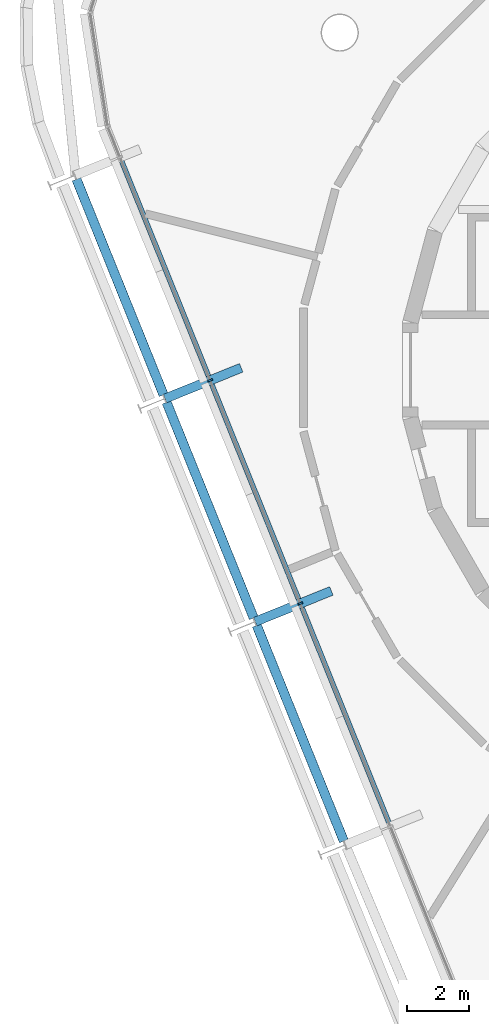
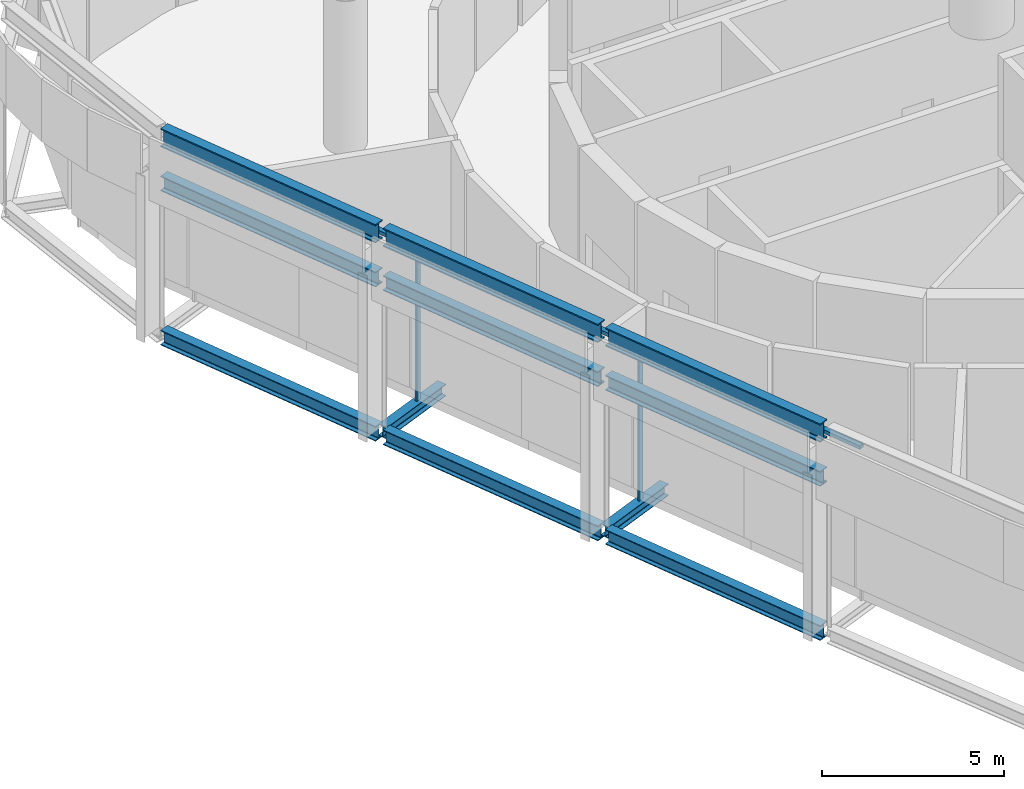
# One storey, part 3 of 15: 11 beams, 3 members, 1 element without a shape of its own.
"""IFC4 building model written with IfcOpenShell, lengths in metres."""

from ifc_helpers import new_model, si_unit, direction, frame, origin, origin_2d, place, context, subcontext, project, spatial, rectangle, i_section, extrude, material, layer, layer_set, material_profile, profile_set, type_object, element, aggregate, save


model = new_model("IFC4")

# Units and contexts
model_context = context("Model", 3, precision=1e-05, world=origin(), true_north=direction((0.0, 1.0)))
body_context = subcontext(model_context, "Body", "Model", "MODEL_VIEW")
ifc_project = project(units=[si_unit("LENGTHUNIT", "METRE"), si_unit("AREAUNIT", "SQUARE_METRE"), si_unit("VOLUMEUNIT", "CUBIC_METRE"), si_unit("PLANEANGLEUNIT", "RADIAN"), si_unit("MASSUNIT", "GRAM", prefix="KILO")], contexts=[model_context])

# Site, building, storey
site_placement = place(None, origin())
site = spatial("IfcSite", under=ifc_project, at=site_placement, CompositionType="ELEMENT")
building_placement = place(site_placement, origin())
building = spatial("IfcBuilding", under=site, at=building_placement, Name="Spindle Arch Residences", CompositionType="ELEMENT")
storey_placement = place(building_placement, frame((0.0, 0.0, 366.199951171875)))
storey = spatial("IfcBuildingStorey", under=building, at=storey_placement, Name="L94", CompositionType="ELEMENT", Elevation=366.199951171875)

# Curtain wall, members
ifc_material_1 = material(Name="Aluminium bronze unitised frame with tinted glass", Category="aluminium")
ifc_layer = layer(ifc_material_1, 0.159912109375)
ifc_layer_set = layer_set([ifc_layer], Name="CW-F crown plant glazed wall")
curtain_wall_type = type_object("IfcCurtainWallType", Name="CW-F crown plant glazed wall", PredefinedType="NOTDEFINED", material=ifc_layer_set)
curtain_wall_placement = place(storey_placement, origin())
curtain_wall = element("IfcCurtainWall", 1, at=curtain_wall_placement, inside=storey, type_object=curtain_wall_type, Name="CW-F L94 run 4", PredefinedType="NOTDEFINED")
ifc_material_2 = material(Name="Aluminium bronze anodised mullion", Category="aluminium")
ifc_material_profile_1 = material_profile(ifc_material_2, rectangle(XDim=0.159912109375, YDim=0.06005859375, at=origin_2d()), Name="MU 60x160")
ifc_profile_set_1 = profile_set([ifc_material_profile_1], Name="Aluminium bronze anodised mullion")
member_type_1 = type_object("IfcMemberType", Name="Bronze mullion 60x160", PredefinedType="MULLION", material=ifc_profile_set_1)
member_1_placement = place(storey_placement, frame((-18.110595703125, -0.337646484375, -0.3798828125), z_axis=(0.0, 0.0, 1.0), x_axis=(0.927183854567, 0.374606593416, 0.0)))
member_1 = element("IfcMember", 2, at=member_1_placement, type_object=member_type_1, Name="CW-F mullion 12", PredefinedType="MULLION", context=body_context, shape_type="SweptSolid", body=[
    extrude(rectangle(XDim=0.159912109375, YDim=0.06005859375, at=origin_2d()), origin(), (0.0, 0.0, 1.0), 5.059814453125),
])
member_2_placement = place(storey_placement, frame((-15.20166015625, -7.537841796875, -0.3798828125), z_axis=(0.0, 0.0, 1.0), x_axis=(0.927183854567, 0.374606593416, 0.0)))
member_2 = element("IfcMember", 3, at=member_2_placement, type_object=member_type_1, Name="CW-F mullion 13", PredefinedType="MULLION", context=body_context, shape_type="SweptSolid", body=[
    extrude(rectangle(XDim=0.159912109375, YDim=0.06005859375, at=origin_2d()), origin(), (0.0, 0.0, 1.0), 5.059814453125),
])
ifc_material_3 = material(Name="Aluminium bronze anodised transom", Category="aluminium")
ifc_material_profile_2 = material_profile(ifc_material_3, rectangle(XDim=0.159912109375, YDim=0.1201171875, at=origin_2d()), Name="TR 120x160")
ifc_profile_set_2 = profile_set([ifc_material_profile_2], Name="Aluminium bronze anodised transom")
member_type_2 = type_object("IfcMemberType", Name="Bronze transom 120x160", PredefinedType="USERDEFINED", material=ifc_profile_set_2)
member_3_placement = place(storey_placement, frame((-21.008544921875, 6.834716796875, 4.739990234375), z_axis=(0.374602019708, -0.927185702452, 0.0), x_axis=(0.927185702452, 0.374602019708, 0.0)))
member_3 = element("IfcMember", 4, at=member_3_placement, type_object=member_type_2, Name="CW-F transom 00", ObjectType="TRANSOM", PredefinedType="USERDEFINED", context=body_context, shape_type="SweptSolid", body=[
    extrude(rectangle(XDim=0.159912109375, YDim=0.1201171875, at=origin_2d()), origin(), (0.0, 0.0, 1.0), 23.23681640625),
])
aggregate(curtain_wall, [member_3, member_1, member_2])

# Beams
ifc_material_4 = material(Name="Steel S460ML, intumescent coating R 120", Category="steel")
ifc_material_profile_3 = material_profile(ifc_material_4, i_section(OverallWidth=0.304931640625, OverallDepth=0.6201171875, WebThickness=0.02099609375, FlangeThickness=0.0400390625, FilletRadius=0.027099609375, at=origin_2d()), Name="HEM 600")
ifc_profile_set_3 = profile_set([ifc_material_profile_3], Name="Steel S460ML, intumescent coating R 120")
beam_type_1 = type_object("IfcBeamType", Name="Crown ring beam HEM 600", PredefinedType="BEAM", material=ifc_profile_set_3)
beam_1_placement = place(storey_placement, frame((-22.4267578125, 6.15380859375, 6.090087890625), z_axis=(0.374613092792, -0.927181228622, 0.0), x_axis=(0.927181228622, 0.374613092792, 0.0)))
element("IfcBeam", 5, at=beam_1_placement, inside=storey, type_object=beam_type_1, Name="Crown ring beam L94 12", PredefinedType="BEAM", context=body_context, shape_type="SweptSolid", body=[
    extrude(i_section(OverallWidth=0.304931640625, OverallDepth=0.6201171875, WebThickness=0.02099609375, FlangeThickness=0.0400390625, FilletRadius=0.027099609375, at=origin_2d()), origin(), (0.0, 0.0, 1.0), 7.505859375),
])
for number, where, z_axis, x_axis, name in (
    (6, (-19.517578125, -1.04638671875, 6.090087890625), (0.374596427458, -0.927187961816, 0.0), (0.927187961816, 0.374596427458, 0.0), "Crown ring beam L94 13"),
    (7, (-16.608642578125, -8.24658203125, 6.090087890625), (0.374596427458, -0.927187961816, 0.0), (0.927187961816, 0.374596427458, 0.0), "Crown ring beam L94 14"),
):
    element("IfcBeam", number, at=place(storey_placement, frame(where, z_axis=z_axis, x_axis=x_axis)), inside=storey, type_object=beam_type_1, Name=name, PredefinedType="BEAM", context=body_context, shape_type="SweptSolid", body=[
        extrude(i_section(OverallWidth=0.304931640625, OverallDepth=0.6201171875, WebThickness=0.02099609375, FlangeThickness=0.0400390625, FilletRadius=0.027099609375, at=origin_2d()), origin(), (0.0, 0.0, 1.0), 7.50537109375),
    ])
ifc_material_5 = material(Name="Steel S460ML, intumescent coating R 120", Category="steel")
ifc_material_profile_4 = material_profile(ifc_material_5, i_section(OverallWidth=0.300048828125, OverallDepth=0.5, WebThickness=0.014404296875, FlangeThickness=0.028076171875, FilletRadius=0.027099609375, at=origin_2d()), Name="HEB 500")
ifc_profile_set_4 = profile_set([ifc_material_profile_4], Name="Steel S460ML, intumescent coating R 120")
beam_type_2 = type_object("IfcBeamType", Name="Exoskeleton edge beam HEB 500", PredefinedType="BEAM", material=ifc_profile_set_4)
beam_2_placement = place(storey_placement, frame((-22.4267578125, 6.15380859375, -0.6298828125), z_axis=(0.374613092792, -0.927181228622, 0.0), x_axis=(0.927181228622, 0.374613092792, 0.0)))
element("IfcBeam", 8, at=beam_2_placement, inside=storey, type_object=beam_type_2, Name="Exoskeleton edge beam 12", PredefinedType="BEAM", context=body_context, shape_type="SweptSolid", body=[
    extrude(i_section(OverallWidth=0.300048828125, OverallDepth=0.5, WebThickness=0.014404296875, FlangeThickness=0.028076171875, FilletRadius=0.027099609375, at=origin_2d()), origin(), (0.0, 0.0, 1.0), 7.505859375),
])
for number, where, z_axis, x_axis, name in (
    (9, (-19.517578125, -1.04638671875, -0.6298828125), (0.374596427458, -0.927187961816, 0.0), (0.927187961816, 0.374596427458, 0.0), "Exoskeleton edge beam 13"),
    (10, (-16.608642578125, -8.24658203125, -0.6298828125), (0.374596427458, -0.927187961816, 0.0), (0.927187961816, 0.374596427458, 0.0), "Exoskeleton edge beam 14"),
):
    element("IfcBeam", number, at=place(storey_placement, frame(where, z_axis=z_axis, x_axis=x_axis)), inside=storey, type_object=beam_type_2, Name=name, PredefinedType="BEAM", context=body_context, shape_type="SweptSolid", body=[
        extrude(i_section(OverallWidth=0.300048828125, OverallDepth=0.5, WebThickness=0.014404296875, FlangeThickness=0.028076171875, FilletRadius=0.027099609375, at=origin_2d()), origin(), (0.0, 0.0, 1.0), 7.50537109375),
    ])
beam_3_placement = place(storey_placement, frame((-22.4267578125, 6.15380859375, 4.550048828125), z_axis=(0.374613092792, -0.927181228622, 0.0), x_axis=(0.927181228622, 0.374613092792, 0.0)))
element("IfcBeam", 11, at=beam_3_placement, inside=storey, type_object=beam_type_2, Name="Exoskeleton edge beam L94 12", PredefinedType="BEAM", context=body_context, shape_type="SweptSolid", body=[
    extrude(i_section(OverallWidth=0.300048828125, OverallDepth=0.5, WebThickness=0.014404296875, FlangeThickness=0.028076171875, FilletRadius=0.027099609375, at=origin_2d()), origin(), (0.0, 0.0, 1.0), 7.505859375),
])
for number, where, z_axis, x_axis, name in (
    (12, (-19.517578125, -1.04638671875, 4.550048828125), (0.374596427458, -0.927187961816, 0.0), (0.927187961816, 0.374596427458, 0.0), "Exoskeleton edge beam L94 13"),
    (13, (-16.608642578125, -8.24658203125, 4.550048828125), (0.374596427458, -0.927187961816, 0.0), (0.927187961816, 0.374596427458, 0.0), "Exoskeleton edge beam L94 14"),
):
    element("IfcBeam", number, at=place(storey_placement, frame(where, z_axis=z_axis, x_axis=x_axis)), inside=storey, type_object=beam_type_2, Name=name, PredefinedType="BEAM", context=body_context, shape_type="SweptSolid", body=[
        extrude(i_section(OverallWidth=0.300048828125, OverallDepth=0.5, WebThickness=0.014404296875, FlangeThickness=0.028076171875, FilletRadius=0.027099609375, at=origin_2d()), origin(), (0.0, 0.0, 1.0), 7.50537109375),
    ])
ifc_material_6 = material(Name="Steel S460ML, intumescent coating R 120", Category="steel")
ifc_material_profile_5 = material_profile(ifc_material_6, i_section(OverallWidth=0.300048828125, OverallDepth=0.389892578125, WebThickness=0.010986328125, FlangeThickness=0.01904296875, FilletRadius=0.027099609375, at=origin_2d()), Name="HEA 400")
ifc_profile_set_5 = profile_set([ifc_material_profile_5], Name="Steel S460ML, intumescent coating R 120")
beam_type_3 = type_object("IfcBeamType", Name="Floor outrigger HEA 400", PredefinedType="BEAM", material=ifc_profile_set_5)
beam_4_placement = place(storey_placement, frame((-19.56640625, -0.92578125, -0.574951171875), z_axis=(0.927187692393, 0.374597094323, 0.0), x_axis=(-0.374597094323, 0.927187692393, 0.0)))
element("IfcBeam", 14, at=beam_4_placement, inside=storey, type_object=beam_type_3, Name="Floor outrigger 13", PredefinedType="BEAM", context=body_context, shape_type="SweptSolid", body=[
    extrude(i_section(OverallWidth=0.300048828125, OverallDepth=0.389892578125, WebThickness=0.010986328125, FlangeThickness=0.01904296875, FilletRadius=0.027099609375, at=origin_2d()), origin(), (0.0, 0.0, 1.0), 2.64990234375),
])
beam_5_placement = place(storey_placement, frame((-16.657470703125, -8.1259765625, -0.574951171875), z_axis=(0.927200618573, 0.374565098372, 0.0), x_axis=(-0.374565098372, 0.927200618573, 0.0)))
element("IfcBeam", 15, at=beam_5_placement, inside=storey, type_object=beam_type_3, Name="Floor outrigger 14", PredefinedType="BEAM", context=body_context, shape_type="SweptSolid", body=[
    extrude(i_section(OverallWidth=0.300048828125, OverallDepth=0.389892578125, WebThickness=0.010986328125, FlangeThickness=0.01904296875, FilletRadius=0.027099609375, at=origin_2d()), origin(), (0.0, 0.0, 1.0), 2.650146484375),
])

save(model, "model.ifc")
